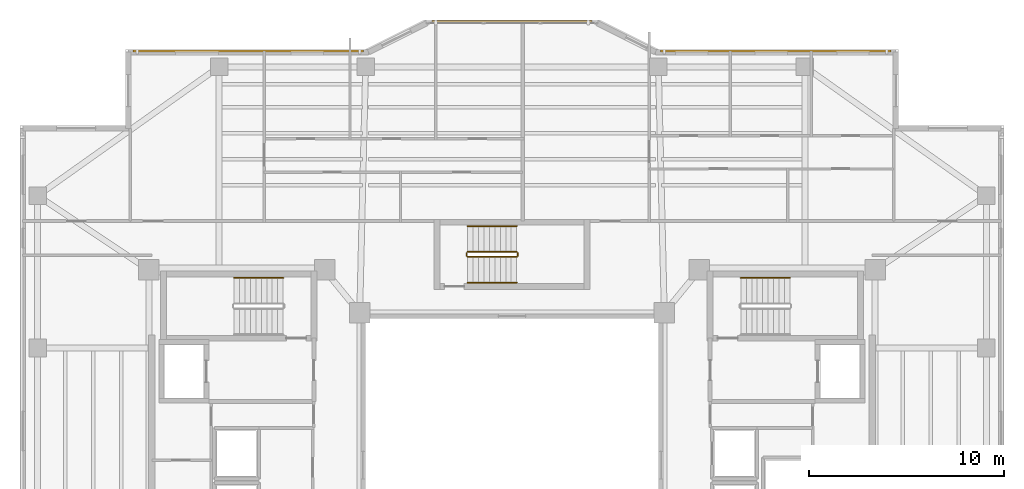
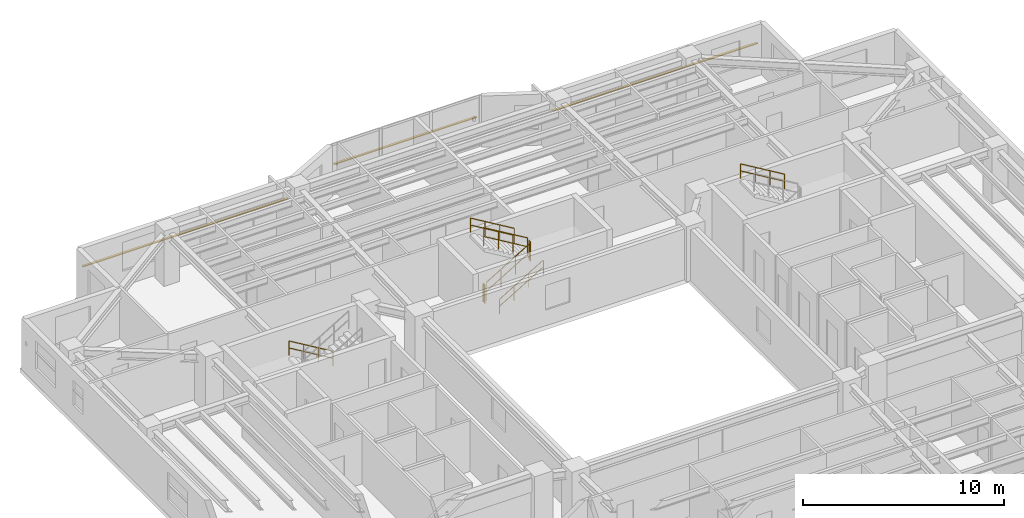
# One storey, part 16 of 16: 8 railings, 3 shading devices.
"""IFC4 building model written with IfcOpenShell, lengths in metres."""

from ifc_helpers import new_model, si_unit, direction, frame, origin, origin_2d, place, context, subcontext, project, spatial, rectangle, circle, extrude, material, material_profile, profile_set, type_object, element, save


model = new_model("IFC4")

# Units and contexts
model_context = context("Model", 3, precision=1e-05, world=origin(), true_north=direction((0.0, 1.0)))
body_context = subcontext(model_context, "Body", "Model", "MODEL_VIEW")
ifc_project = project(units=[si_unit("LENGTHUNIT", "METRE"), si_unit("AREAUNIT", "SQUARE_METRE"), si_unit("VOLUMEUNIT", "CUBIC_METRE"), si_unit("PLANEANGLEUNIT", "RADIAN"), si_unit("MASSUNIT", "GRAM", prefix="KILO")], contexts=[model_context])

# Site, building, storey
site_placement = place(None, origin())
site = spatial("IfcSite", under=ifc_project, at=site_placement, CompositionType="ELEMENT")
building_placement = place(site_placement, origin())
building = spatial("IfcBuilding", under=site, at=building_placement, Name="Tarnavaz Court Tower", CompositionType="ELEMENT")
storey_placement = place(building_placement, frame((0.0, 0.0, 146.0)))
storey = spatial("IfcBuildingStorey", under=building, at=storey_placement, Name="L39", CompositionType="ELEMENT", Elevation=146.0)

# Railings
ifc_material_1 = material(Name="Brushed Stainless Steel", Category="steel")
railing_type_1 = type_object("IfcRailingType", Name="RL-HANDRAIL-900", PredefinedType="HANDRAIL", material=ifc_material_1)
for number, where, name in (
    (1, (-11.719970703125, 9.590087890625, 0.16748046875), "L39 ST-W1 stair handrail 1"),
    (2, (14.239990234375, 9.590087890625, 1.842529296875), "L39 ST-E1 stair handrail 2"),
):
    element("IfcRailing", number, at=place(storey_placement, frame(where)), inside=storey, type_object=railing_type_1, Name=name, PredefinedType="HANDRAIL", context=body_context, shape_type="SweptSolid", body=[
        extrude(circle(Radius=0.02392578125, at=origin_2d()), frame((0.0, 0.0, 0.8759765625), z_axis=(-0.858159760407, 0.0, 0.513382728203), x_axis=(0.0, -1.0, 0.0)), (0.0, 0.0, 1.0), 2.9365234375),
        extrude(circle(Radius=0.02392578125, at=origin_2d()), frame((0.0, 0.0, 0.449951171875), z_axis=(-0.858159760407, 0.0, 0.513382728203), x_axis=(0.0, -1.0, 0.0)), (0.0, 0.0, 1.0), 2.9365234375),
        extrude(circle(Radius=0.02099609375, at=origin_2d()), origin(), (0.0, 0.0, 1.0), 0.851806640625),
        extrude(circle(Radius=0.02099609375, at=origin_2d()), frame((-0.840087890625, 0.0, 0.50244140625)), (0.0, 0.0, 1.0), 0.851806640625),
        extrude(circle(Radius=0.02099609375, at=origin_2d()), frame((-1.679931640625, 0.0, 1.005126953125)), (0.0, 0.0, 1.0), 0.851806640625),
        extrude(circle(Radius=0.02099609375, at=origin_2d()), frame((-2.52001953125, 0.0, 1.507568359375)), (0.0, 0.0, 1.0), 0.851806640625),
    ])
railing_1_placement = place(storey_placement, frame((-2.280029296875, 9.35009765625, 0.16748046875)))
element("IfcRailing", 3, at=railing_1_placement, inside=storey, type_object=railing_type_1, Name="L39 ST-N1 stair handrail 1", PredefinedType="HANDRAIL", context=body_context, shape_type="SweptSolid", body=[
    extrude(circle(Radius=0.02392578125, at=origin_2d()), frame((0.0, 0.0, 0.8759765625), z_axis=(0.858159760407, 0.0, 0.513382728203), x_axis=(0.0, 1.0, 0.0)), (0.0, 0.0, 1.0), 2.9365234375),
    extrude(circle(Radius=0.02392578125, at=origin_2d()), frame((0.0, 0.0, 0.449951171875), z_axis=(0.858159760407, 0.0, 0.513382728203), x_axis=(0.0, 1.0, 0.0)), (0.0, 0.0, 1.0), 2.9365234375),
    extrude(circle(Radius=0.02099609375, at=origin_2d()), origin(), (0.0, 0.0, 1.0), 0.851806640625),
    extrude(circle(Radius=0.02099609375, at=origin_2d()), frame((0.840087890625, 0.0, 0.50244140625)), (0.0, 0.0, 1.0), 0.851806640625),
    extrude(circle(Radius=0.02099609375, at=origin_2d()), frame((1.679931640625, 0.0, 1.005126953125)), (0.0, 0.0, 1.0), 0.851806640625),
    extrude(circle(Radius=0.02099609375, at=origin_2d()), frame((2.52001953125, 0.0, 1.507568359375)), (0.0, 0.0, 1.0), 0.851806640625),
])
railing_2_placement = place(storey_placement, frame((0.239990234375, 12.239990234375, 1.842529296875)))
element("IfcRailing", 4, at=railing_2_placement, inside=storey, type_object=railing_type_1, Name="L39 ST-N1 stair handrail 2", PredefinedType="HANDRAIL", context=body_context, shape_type="SweptSolid", body=[
    extrude(circle(Radius=0.02392578125, at=origin_2d()), frame((0.0, 0.0, 0.8759765625), z_axis=(-0.858159760407, 0.0, 0.513382728203), x_axis=(0.0, -1.0, 0.0)), (0.0, 0.0, 1.0), 2.9365234375),
    extrude(circle(Radius=0.02392578125, at=origin_2d()), frame((0.0, 0.0, 0.449951171875), z_axis=(-0.858159760407, 0.0, 0.513382728203), x_axis=(0.0, -1.0, 0.0)), (0.0, 0.0, 1.0), 2.9365234375),
    extrude(circle(Radius=0.02099609375, at=origin_2d()), origin(), (0.0, 0.0, 1.0), 0.851806640625),
    extrude(circle(Radius=0.02099609375, at=origin_2d()), frame((-0.840087890625, 0.0, 0.50244140625)), (0.0, 0.0, 1.0), 0.851806640625),
    extrude(circle(Radius=0.02099609375, at=origin_2d()), frame((-1.679931640625, 0.0, 1.005126953125)), (0.0, 0.0, 1.0), 0.851806640625),
    extrude(circle(Radius=0.02099609375, at=origin_2d()), frame((-2.52001953125, 0.0, 1.507568359375)), (0.0, 0.0, 1.0), 0.851806640625),
])
ifc_material_2 = material(Name="Galvanized Painted Tubular Steel", Category="steel")
railing_type_2 = type_object("IfcRailingType", Name="RL-STGUARD-1120", PredefinedType="GUARDRAIL", material=ifc_material_2)
railing_3_placement = place(storey_placement, frame((-2.280029296875, 10.669921875, 0.16748046875)))
element("IfcRailing", 5, at=railing_3_placement, inside=storey, type_object=railing_type_2, Name="L39 ST-N1 stair guard 1", PredefinedType="GUARDRAIL", context=body_context, shape_type="SweptSolid", body=[
    extrude(circle(Radius=0.02392578125, at=origin_2d()), frame((0.0, 0.0, 1.09619140625), z_axis=(0.858159760407, 0.0, 0.513382728203), x_axis=(0.0, 1.0, 0.0)), (0.0, 0.0, 1.0), 2.9365234375),
    extrude(circle(Radius=0.02392578125, at=origin_2d()), frame((0.0, 0.0, 0.56005859375), z_axis=(0.858159760407, 0.0, 0.513382728203), x_axis=(0.0, 1.0, 0.0)), (0.0, 0.0, 1.0), 2.9365234375),
    extrude(circle(Radius=0.02099609375, at=origin_2d()), origin(), (0.0, 0.0, 1.0), 1.072021484375),
    extrude(circle(Radius=0.02099609375, at=origin_2d()), frame((0.840087890625, 0.0, 0.50244140625)), (0.0, 0.0, 1.0), 1.072021484375),
    extrude(circle(Radius=0.02099609375, at=origin_2d()), frame((1.679931640625, 0.0, 1.005126953125)), (0.0, 0.0, 1.0), 1.072021484375),
    extrude(circle(Radius=0.02099609375, at=origin_2d()), frame((2.52001953125, 0.0, 1.507568359375)), (0.0, 0.0, 1.0), 1.072021484375),
])
railing_4_placement = place(storey_placement, frame((0.2900390625, 10.719970703125, 1.675048828125)))
element("IfcRailing", 6, at=railing_4_placement, inside=storey, type_object=railing_type_2, Name="L39 ST-N1 stair guard 2", PredefinedType="GUARDRAIL", context=body_context, shape_type="SweptSolid", body=[
    extrude(circle(Radius=0.02392578125, at=origin_2d()), frame((0.0, 0.0, 1.09619140625), z_axis=(0.0, 1.0, 0.0), x_axis=(-1.0, 0.0, 0.0)), (0.0, 0.0, 1.0), 0.150146484375),
    extrude(circle(Radius=0.02392578125, at=origin_2d()), frame((0.0, 0.0, 0.56005859375), z_axis=(0.0, 1.0, 0.0), x_axis=(-1.0, 0.0, 0.0)), (0.0, 0.0, 1.0), 0.150146484375),
    extrude(circle(Radius=0.02099609375, at=origin_2d()), origin(), (0.0, 0.0, 1.0), 1.072021484375),
    extrude(circle(Radius=0.02099609375, at=origin_2d()), frame((0.0, 0.150146484375, 0.0)), (0.0, 0.0, 1.0), 1.072021484375),
])
railing_5_placement = place(storey_placement, frame((0.239990234375, 10.919921875, 1.842529296875)))
element("IfcRailing", 7, at=railing_5_placement, inside=storey, type_object=railing_type_2, Name="L39 ST-N1 stair guard 3", PredefinedType="GUARDRAIL", context=body_context, shape_type="SweptSolid", body=[
    extrude(circle(Radius=0.02392578125, at=origin_2d()), frame((0.0, 0.0, 1.09619140625), z_axis=(-0.858159760407, 0.0, 0.513382728203), x_axis=(0.0, -1.0, 0.0)), (0.0, 0.0, 1.0), 2.9365234375),
    extrude(circle(Radius=0.02392578125, at=origin_2d()), frame((0.0, 0.0, 0.56005859375), z_axis=(-0.858159760407, 0.0, 0.513382728203), x_axis=(0.0, -1.0, 0.0)), (0.0, 0.0, 1.0), 2.9365234375),
    extrude(circle(Radius=0.02099609375, at=origin_2d()), origin(), (0.0, 0.0, 1.0), 1.072021484375),
    extrude(circle(Radius=0.02099609375, at=origin_2d()), frame((-0.840087890625, 0.0, 0.50244140625)), (0.0, 0.0, 1.0), 1.072021484375),
    extrude(circle(Radius=0.02099609375, at=origin_2d()), frame((-1.679931640625, 0.0, 1.005126953125)), (0.0, 0.0, 1.0), 1.072021484375),
    extrude(circle(Radius=0.02099609375, at=origin_2d()), frame((-2.52001953125, 0.0, 1.507568359375)), (0.0, 0.0, 1.0), 1.072021484375),
])
railing_6_placement = place(storey_placement, frame((-2.330078125, 10.719970703125, 0.0)))
element("IfcRailing", 8, at=railing_6_placement, inside=storey, type_object=railing_type_2, Name="L39 ST-N1 stair guard 4", PredefinedType="GUARDRAIL", context=body_context, shape_type="SweptSolid", body=[
    extrude(circle(Radius=0.02392578125, at=origin_2d()), frame((0.0, 0.0, 1.09619140625), z_axis=(0.0, 1.0, 0.0), x_axis=(-1.0, 0.0, 0.0)), (0.0, 0.0, 1.0), 0.150146484375),
    extrude(circle(Radius=0.02392578125, at=origin_2d()), frame((0.0, 0.0, 0.56005859375), z_axis=(0.0, 1.0, 0.0), x_axis=(-1.0, 0.0, 0.0)), (0.0, 0.0, 1.0), 0.150146484375),
    extrude(circle(Radius=0.02099609375, at=origin_2d()), origin(), (0.0, 0.0, 1.0), 1.072021484375),
    extrude(circle(Radius=0.02099609375, at=origin_2d()), frame((0.0, 0.150146484375, 0.0)), (0.0, 0.0, 1.0), 1.072021484375),
])

# Shading devices
ifc_material_3 = material(Name="Kiln-Fired Khorasan Terracotta Ceramic", Category="masonry")
ifc_material_profile = material_profile(ifc_material_3, rectangle(XDim=0.1201171875, YDim=0.06005859375, at=origin_2d()), Name="TC BAGUETTE 120X60")
ifc_profile_set = profile_set([ifc_material_profile], Name="Kiln-Fired Khorasan Terracotta Ceramic")
shading_device_type = type_object("IfcShadingDeviceType", Name="SD-BAG-120", PredefinedType="USERDEFINED", material=ifc_profile_set)
shading_device_1_placement = place(storey_placement, frame((-19.39990234375, 21.2099609375, 1.85009765625), z_axis=(1.0, 0.0, 0.0), x_axis=(0.0, 1.0, 0.0)))
element("IfcShadingDevice", 9, at=shading_device_1_placement, inside=storey, type_object=shading_device_type, Name="L39 Terracotta Baguette Screen FBG05", ObjectType="BAGUETTE", PredefinedType="USERDEFINED", context=body_context, shape_type="SweptSolid", body=[
    extrude(rectangle(XDim=0.1201171875, YDim=0.06005859375, at=origin_2d()), origin(), (0.0, 0.0, 1.0), 11.7998046875),
])
shading_device_2_placement = place(storey_placement, frame((-4.10009765625, 22.7099609375, 1.800048828125), z_axis=(1.0, 0.0, 0.0), x_axis=(0.0, 1.0, 0.0)))
element("IfcShadingDevice", 10, at=shading_device_2_placement, inside=storey, type_object=shading_device_type, Name="L39 Terracotta Baguette Screen PBG7", ObjectType="BAGUETTE", PredefinedType="USERDEFINED", context=body_context, shape_type="SweptSolid", body=[
    extrude(rectangle(XDim=0.1201171875, YDim=0.06005859375, at=origin_2d()), origin(), (0.0, 0.0, 1.0), 8.2001953125),
])
shading_device_3_placement = place(storey_placement, frame((7.60009765625, 21.2099609375, 1.85009765625), z_axis=(1.0, 0.0, 0.0), x_axis=(0.0, 1.0, 0.0)))
element("IfcShadingDevice", 11, at=shading_device_3_placement, inside=storey, type_object=shading_device_type, Name="L39 Terracotta Baguette Screen FBG09", ObjectType="BAGUETTE", PredefinedType="USERDEFINED", context=body_context, shape_type="SweptSolid", body=[
    extrude(rectangle(XDim=0.1201171875, YDim=0.06005859375, at=origin_2d()), origin(), (0.0, 0.0, 1.0), 11.7998046875),
])

save(model, "model.ifc")
